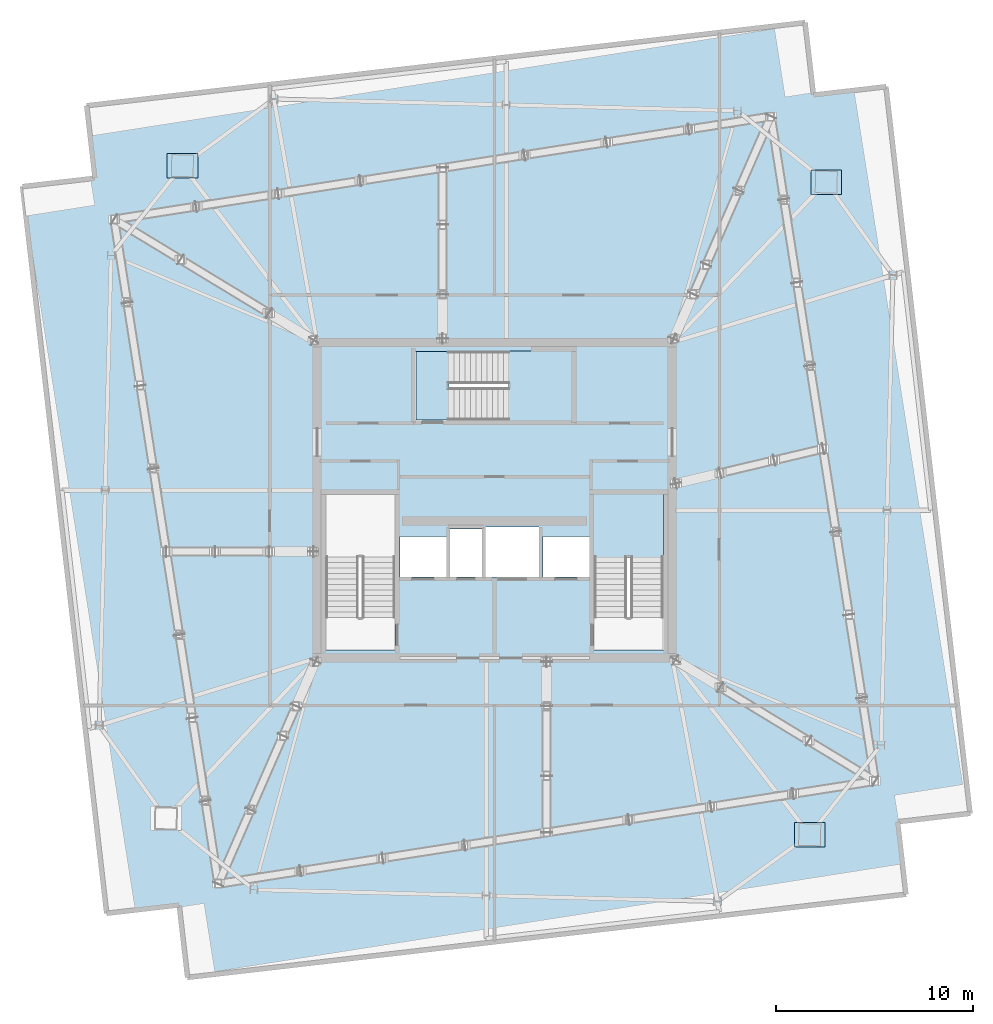
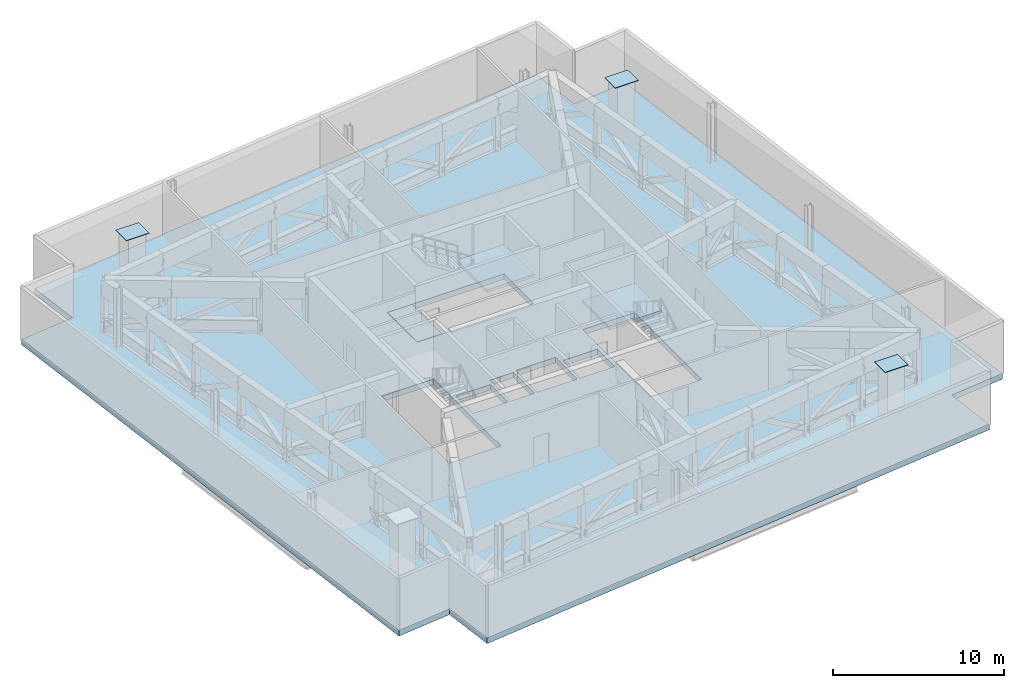
# One storey, part 5 of 13: 4 slabs, 3 plates, 2 elements without a shape of their own.
"""IFC4 building model written with IfcOpenShell, lengths in metres."""

from ifc_helpers import new_model, si_unit, direction, frame, origin, origin_2d, place, context, subcontext, project, spatial, polyline, rectangle, outline, extrude, source, transform, mapped, material, layer, layer_set, type_object, element, aggregate, save


model = new_model("IFC4")

# Units and contexts
model_context = context("Model", 3, precision=1e-05, world=origin(), true_north=direction((0.0, 1.0)))
body_context = subcontext(model_context, "Body", "Model", "MODEL_VIEW")
ifc_project = project(units=[si_unit("LENGTHUNIT", "METRE"), si_unit("AREAUNIT", "SQUARE_METRE"), si_unit("VOLUMEUNIT", "CUBIC_METRE"), si_unit("PLANEANGLEUNIT", "RADIAN"), si_unit("MASSUNIT", "GRAM", prefix="KILO")], contexts=[model_context])

# Site, building, storey
site_placement = place(None, origin())
site = spatial("IfcSite", under=ifc_project, at=site_placement, CompositionType="ELEMENT")
building_placement = place(site_placement, origin())
building = spatial("IfcBuilding", under=site, at=building_placement, Name="Haldenkirk Collegiate Tower", CompositionType="ELEMENT")
storey_placement = place(building_placement, frame((0.0, 0.0, 352.199951171875)))
storey = spatial("IfcBuildingStorey", under=building, at=storey_placement, Name="L89", CompositionType="ELEMENT", Elevation=352.199951171875)

# Slab
ifc_material_1 = material(Name="Concrete f'c 40 MPa", Category="concrete")
ifc_layer_1 = layer(ifc_material_1, 0.39990234375)
ifc_layer_set_1 = layer_set([ifc_layer_1], Name="Concrete f'c 40 MPa")
slab_type_1 = type_object("IfcSlabType", Name="SLB-FLR-400", PredefinedType="FLOOR", material=ifc_layer_set_1)
slab_1_placement = place(storey_placement, frame((0.0, 0.0, -0.39990234375)))
element("IfcSlab", 1, at=slab_1_placement, inside=storey, type_object=slab_type_1, Name="L89 composite structural floor slab", PredefinedType="FLOOR", context=body_context, shape_type="SweptSolid", body=[
    extrude(outline(polyline([(60.110595703125, 10.115966796875), (55.84619140625, 46.969970703125), (52.1708984375, 46.544921875), (51.74560546875, 50.22021484375), (15.313720703125, 46.0048828125), (15.739013671875, 42.32958984375), (12.0634765625, 41.904296875), (16.32763671875, 5.050048828125), (20.0029296875, 5.475341796875), (20.42822265625, 1.7998046875), (56.860107421875, 6.01513671875), (56.43505859375, 9.690673828125), (60.110595703125, 10.115966796875)]), holes=[polyline([(27.449951171875, 18.39990234375), (30.949951171875, 18.39990234375), (30.949951171875, 26.300048828125), (27.449951171875, 26.300048828125), (27.449951171875, 18.39990234375)]), polyline([(41.050048828125, 18.39990234375), (44.550048828125, 18.39990234375), (44.550048828125, 26.300048828125), (41.050048828125, 26.300048828125), (41.050048828125, 18.39990234375)]), polyline([(32.0, 30.050048828125), (39.89990234375, 30.050048828125), (39.89990234375, 33.550048828125), (32.0, 33.550048828125), (32.0, 30.050048828125)]), polyline([(33.75, 22.10009765625), (35.35009765625, 22.10009765625), (35.35009765625, 24.550048828125), (33.75, 24.550048828125), (33.75, 22.10009765625)]), polyline([(31.199951171875, 22.10009765625), (33.550048828125, 22.10009765625), (33.550048828125, 24.14990234375), (31.199951171875, 24.14990234375), (31.199951171875, 22.10009765625)]), polyline([(38.449951171875, 22.10009765625), (40.800048828125, 22.10009765625), (40.800048828125, 24.14990234375), (38.449951171875, 24.14990234375), (38.449951171875, 22.10009765625)]), polyline([(35.550048828125, 22.10009765625), (38.25, 22.10009765625), (38.25, 24.64990234375), (35.550048828125, 24.64990234375), (35.550048828125, 22.10009765625)])]), origin(), (0.0, 0.0, 1.0), 0.39990234375),
])

# Stair, slab
stair_type = type_object("IfcStairType", Name="STR-DOGLEG-1650", PredefinedType="HALF_TURN_STAIR", material=ifc_material_1)
stair_1_placement = place(storey_placement, origin())
stair_1 = element("IfcStair", 2, at=stair_1_placement, inside=storey, type_object=stair_type, Name="L89 Core Exit Stair ST-2", PredefinedType="HALF_TURN_STAIR")
ifc_layer_2 = layer(ifc_material_1, 0.199951171875)
ifc_layer_set_2 = layer_set([ifc_layer_2], Name="Concrete f'c 40 MPa")
slab_type_2 = type_object("IfcSlabType", Name="SLB-LANDING-200", PredefinedType="LANDING", material=ifc_layer_set_2)
slab_2_placement = place(storey_placement, frame((0.0, 0.0, 1.900146484375)))
slab_2 = element("IfcSlab", 3, at=slab_2_placement, type_object=slab_type_2, Name="ST-2 landing 1", PredefinedType="LANDING", context=body_context, shape_type="SweptSolid", body=[
    extrude(outline(polyline([(44.574951171875, 23.10498046875), (41.02490234375, 23.10498046875), (41.02490234375, 26.324951171875), (44.574951171875, 26.324951171875), (44.574951171875, 23.10498046875)])), origin(), (0.0, 0.0, 1.0), 0.199951171875),
])
aggregate(stair_1, [slab_2])

stair_2_placement = place(storey_placement, origin())
stair_2 = element("IfcStair", 4, at=stair_2_placement, inside=storey, type_object=stair_type, Name="L89 Core Exit Stair ST-3", PredefinedType="HALF_TURN_STAIR")
slab_3_placement = place(storey_placement, frame((0.0, 0.0, 1.900146484375)))
slab_3 = element("IfcSlab", 5, at=slab_3_placement, type_object=slab_type_2, Name="ST-3 landing 1", PredefinedType="LANDING", context=body_context, shape_type="SweptSolid", body=[
    extrude(outline(polyline([(36.705078125, 30.02490234375), (36.705078125, 33.574951171875), (39.925048828125, 33.574951171875), (39.925048828125, 30.02490234375), (36.705078125, 30.02490234375)])), origin(), (0.0, 0.0, 1.0), 0.199951171875),
])
aggregate(stair_2, [slab_3])

# Slab
ifc_layer_3 = layer(ifc_material_1, 0.25)
ifc_layer_set_3 = layer_set([ifc_layer_3], Name="Concrete f'c 40 MPa")
slab_type_3 = type_object("IfcSlabType", Name="SLB-STAIRLAND-250", PredefinedType="LANDING", material=ifc_layer_set_3)
slab_4_placement = place(storey_placement, frame((0.0, 0.0, -0.25)))
element("IfcSlab", 6, at=slab_4_placement, inside=storey, type_object=slab_type_3, Name="L89 stair ST3 structural floor landing slab", PredefinedType="LANDING", context=body_context, shape_type="SweptSolid", body=[
    extrude(outline(polyline([(32.010009765625, 30.06005859375), (33.679931640625, 30.06005859375), (33.679931640625, 33.5400390625), (32.010009765625, 33.5400390625), (32.010009765625, 30.06005859375)])), origin(), (0.0, 0.0, 1.0), 0.25),
])

# Plates
ifc_material_2 = material(Name="Steel ASTM A572 Grade 50", Category="steel")
ifc_layer_4 = layer(ifc_material_2, 0.0400390625)
ifc_layer_set_4 = layer_set([ifc_layer_4], Name="Steel ASTM A572 Grade 50")
plate_type = type_object("IfcPlateType", Name="PLT-CAP-MEGA-1240X980", PredefinedType="USERDEFINED", material=ifc_layer_set_4)
shared_shape = source(origin(), body_context, "Body", "SweptSolid", [
    extrude(rectangle(XDim=1.56005859375, YDim=1.239990234375, at=origin_2d()), origin(), (0.0, 0.0, 1.0), 0.0400390625),
])
for number, where, z_axis, x_axis, name in (
    (7, (51.97607421875, 9.040283203125, 4.197021484375), (0.0, 0.0, 1.0), (1.0, 0.0, 0.0), "L89 crown transfer mega-column MC1 top seal plate"),
    (8, (52.8134765625, 42.129638671875, 4.197021484375), (0.0, 0.0, 1.0), (1.0, 0.0, 0.0), "L89 crown transfer mega-column MC2 top seal plate"),
    (9, (20.174072265625, 42.955810546875, 4.197021484375), (0.0, 0.0, 1.0), (1.0, 0.0, 0.0), "L89 crown transfer mega-column MC3 top seal plate"),
):
    element("IfcPlate", number, at=place(storey_placement, frame(where, z_axis=z_axis, x_axis=x_axis)), inside=storey, type_object=plate_type, Name=name, ObjectType="END CAP PLATE", PredefinedType="USERDEFINED", context=body_context, shape_type="MappedRepresentation", body=[
        mapped(shared_shape, transform((0.0, 0.0, 0.0), x_axis=(1.0, 0.0, 0.0), y_axis=(0.0, 1.0, 0.0), z_axis=(0.0, 0.0, 1.0), scale=1.0)),
    ])

save(model, "model.ifc")
